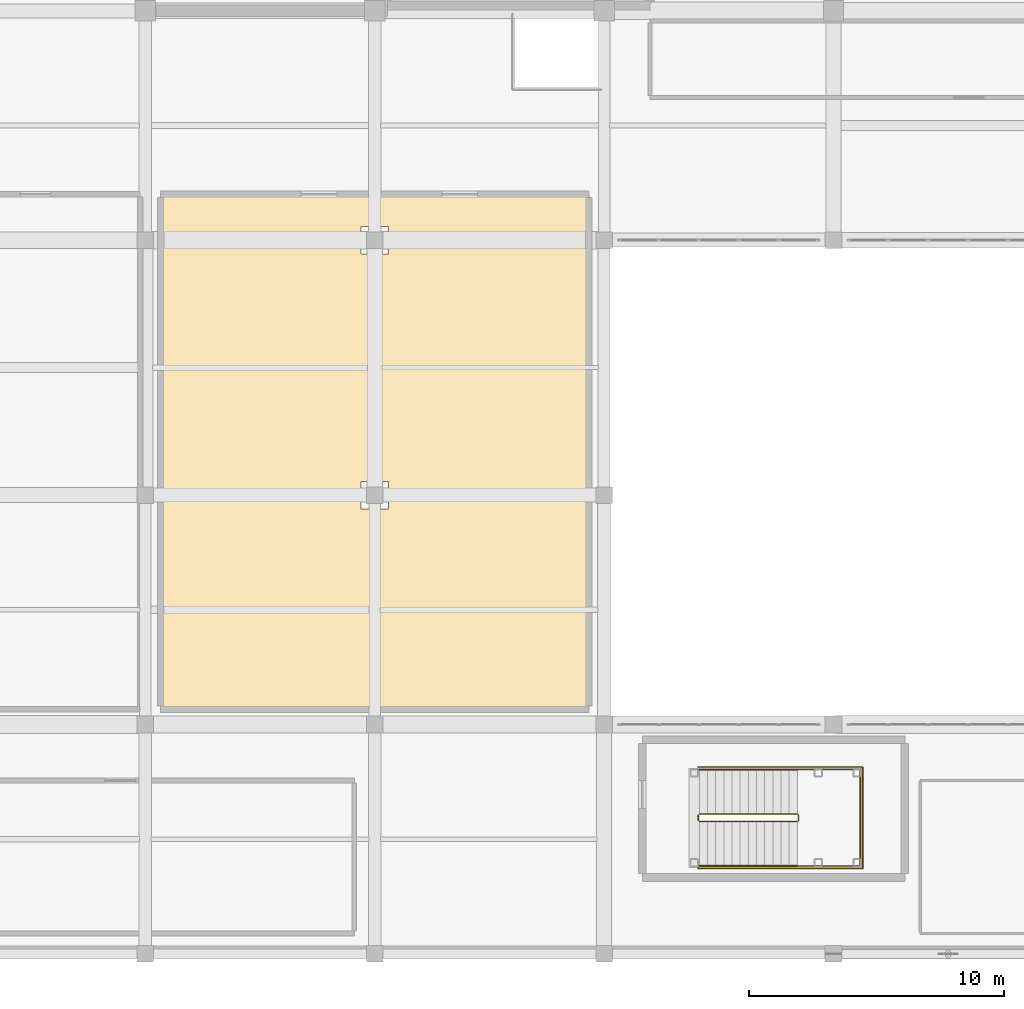
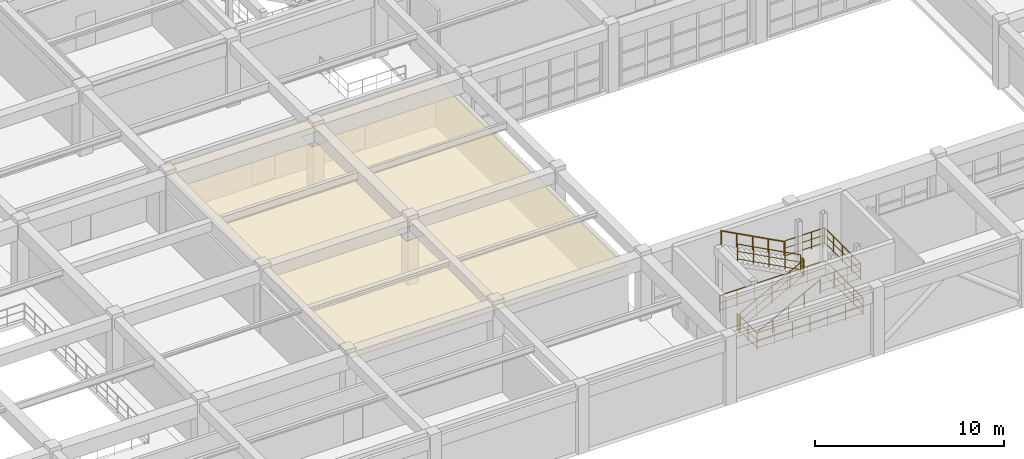
# One storey, part 124 of 133: 8 railings, 1 covering.
"""IFC4 building model written with IfcOpenShell, lengths in metres."""

from ifc_helpers import new_model, si_unit, direction, frame, origin, origin_2d, place, context, subcontext, project, spatial, polyline, circle, outline, extrude, material, layer, layer_set, type_object, element, save


model = new_model("IFC4")

# Units and contexts
model_context = context("Model", 3, precision=1e-05, world=origin(), true_north=direction((0.0, 1.0)))
body_context = subcontext(model_context, "Body", "Model", "MODEL_VIEW")
ifc_project = project(units=[si_unit("LENGTHUNIT", "METRE"), si_unit("AREAUNIT", "SQUARE_METRE"), si_unit("VOLUMEUNIT", "CUBIC_METRE"), si_unit("PLANEANGLEUNIT", "RADIAN"), si_unit("MASSUNIT", "GRAM", prefix="KILO")], contexts=[model_context])

# Site, building, storey
site_placement = place(None, origin())
site = spatial("IfcSite", under=ifc_project, at=site_placement, CompositionType="ELEMENT")
building_placement = place(site_placement, origin())
building = spatial("IfcBuilding", under=site, at=building_placement, Name="Miravela Opera House", CompositionType="ELEMENT")
storey_placement = place(building_placement, frame((0.0, 0.0, 5.10009765625)))
storey = spatial("IfcBuildingStorey", under=building, at=storey_placement, Name="L01", CompositionType="ELEMENT", Elevation=5.10009765625)

# Covering
ifc_material_1 = material(Name="Suspended acoustic gypsum board ceiling")
ifc_layer = layer(ifc_material_1, 0.02392578125)
ifc_layer_set = layer_set([ifc_layer])
covering_type = type_object("IfcCoveringType", Name="ARC-CEIL-GYPSUM-24", PredefinedType="CEILING", material=ifc_layer_set)
covering_placement = place(storey_placement, frame((0.0, 0.0, 3.059814453125)))
element("IfcCovering", 1, at=covering_placement, inside=storey, type_object=covering_type, Name="Performer Green Room and Lounge Acoustic Ceiling", PredefinedType="CEILING", context=body_context, shape_type="SweptSolid", body=[
    extrude(outline(polyline([(99.60009765625, 9.60009765625), (116.39990234375, 9.60009765625), (116.39990234375, 29.800048828125), (99.60009765625, 29.800048828125), (99.60009765625, 9.60009765625)]), holes=[polyline([(107.46044921875, 17.46044921875), (108.53955078125, 17.46044921875), (108.53955078125, 18.53955078125), (107.46044921875, 18.53955078125), (107.46044921875, 17.46044921875)]), polyline([(107.46044921875, 27.46044921875), (108.53955078125, 27.46044921875), (108.53955078125, 28.53955078125), (107.46044921875, 28.53955078125), (107.46044921875, 27.46044921875)])]), origin(), (0.0, 0.0, 1.0), 0.024169921875),
])

# Railings
ifc_material_2 = material(Name="Brushed bronze continuous stair handrail")
railing_type_1 = type_object("IfcRailingType", Name="ARC-RAIL-HAND-900", PredefinedType="HANDRAIL", material=ifc_material_2)
railing_1_placement = place(storey_placement, frame((120.739990234375, 3.449951171875, 0.169921875)))
element("IfcRailing", 2, at=railing_1_placement, inside=storey, type_object=railing_type_1, Name="L01 ST-10 stair handrail 1", PredefinedType="HANDRAIL", context=body_context, shape_type="SweptSolid", body=[
    extrude(circle(Radius=0.02392578125, at=origin_2d()), frame((0.0, 0.0, 0.8759765625), z_axis=(0.883116446401, 0.0, 0.469153857596), x_axis=(0.0, 1.0, 0.0)), (0.0, 0.0, 1.0), 4.348388671875),
    extrude(circle(Radius=0.02099609375, at=origin_2d()), origin(), (0.0, 0.0, 1.0), 0.851806640625),
    extrude(circle(Radius=0.02099609375, at=origin_2d()), frame((0.9599609375, 0.0, 0.510009765625)), (0.0, 0.0, 1.0), 0.851806640625),
    extrude(circle(Radius=0.02099609375, at=origin_2d()), frame((1.919921875, 0.0, 1.02001953125)), (0.0, 0.0, 1.0), 0.851806640625),
    extrude(circle(Radius=0.02099609375, at=origin_2d()), frame((2.880126953125, 0.0, 1.530029296875)), (0.0, 0.0, 1.0), 0.851806640625),
    extrude(circle(Radius=0.02099609375, at=origin_2d()), frame((3.840087890625, 0.0, 2.0400390625)), (0.0, 0.0, 1.0), 0.851806640625),
])
railing_2_placement = place(storey_placement, frame((124.580078125, 7.22998046875, 2.3798828125)))
element("IfcRailing", 3, at=railing_2_placement, inside=storey, type_object=railing_type_1, Name="L01 ST-10 stair handrail 2", PredefinedType="HANDRAIL", context=body_context, shape_type="SweptSolid", body=[
    extrude(circle(Radius=0.02392578125, at=origin_2d()), frame((0.0, 0.0, 0.8759765625), z_axis=(-0.883116446401, 0.0, 0.469153857596), x_axis=(0.0, -1.0, 0.0)), (0.0, 0.0, 1.0), 4.348388671875),
    extrude(circle(Radius=0.02099609375, at=origin_2d()), origin(), (0.0, 0.0, 1.0), 0.851806640625),
    extrude(circle(Radius=0.02099609375, at=origin_2d()), frame((-0.9599609375, 0.0, 0.510009765625)), (0.0, 0.0, 1.0), 0.851806640625),
    extrude(circle(Radius=0.02099609375, at=origin_2d()), frame((-1.919921875, 0.0, 1.02001953125)), (0.0, 0.0, 1.0), 0.851806640625),
    extrude(circle(Radius=0.02099609375, at=origin_2d()), frame((-2.880126953125, 0.0, 1.530029296875)), (0.0, 0.0, 1.0), 0.851806640625),
    extrude(circle(Radius=0.02099609375, at=origin_2d()), frame((-3.840087890625, 0.0, 2.0400390625)), (0.0, 0.0, 1.0), 0.851806640625),
])
ifc_material_3 = material(Name="Painted wrought-iron stair guardrail")
railing_type_2 = type_object("IfcRailingType", Name="ARC-RAIL-STAIR-GUARD", PredefinedType="GUARDRAIL", material=ifc_material_3)
railing_3_placement = place(storey_placement, frame((120.739990234375, 5.18994140625, 0.169921875)))
element("IfcRailing", 4, at=railing_3_placement, inside=storey, type_object=railing_type_2, Name="L01 ST-10 stair guard 1", PredefinedType="GUARDRAIL", context=body_context, shape_type="SweptSolid", body=[
    extrude(circle(Radius=0.02392578125, at=origin_2d()), frame((0.0, 0.0, 1.076171875), z_axis=(0.883116446401, 0.0, 0.469153857596), x_axis=(0.0, 1.0, 0.0)), (0.0, 0.0, 1.0), 4.348388671875),
    extrude(circle(Radius=0.01611328125, at=origin_2d()), frame((0.0, 0.0, 0.60498046875), z_axis=(0.883116446401, 0.0, 0.469153857596), x_axis=(0.0, 1.0, 0.0)), (0.0, 0.0, 1.0), 4.348388671875),
    extrude(circle(Radius=0.01611328125, at=origin_2d()), frame((0.0, 0.0, 0.1201171875), z_axis=(0.883116446401, 0.0, 0.469153857596), x_axis=(0.0, 1.0, 0.0)), (0.0, 0.0, 1.0), 4.348388671875),
    extrude(circle(Radius=0.02099609375, at=origin_2d()), origin(), (0.0, 0.0, 1.0), 1.052001953125),
    extrude(circle(Radius=0.02099609375, at=origin_2d()), frame((0.9599609375, 0.0, 0.510009765625)), (0.0, 0.0, 1.0), 1.052001953125),
    extrude(circle(Radius=0.02099609375, at=origin_2d()), frame((1.919921875, 0.0, 1.02001953125)), (0.0, 0.0, 1.0), 1.052001953125),
    extrude(circle(Radius=0.02099609375, at=origin_2d()), frame((2.880126953125, 0.0, 1.530029296875)), (0.0, 0.0, 1.0), 1.052001953125),
    extrude(circle(Radius=0.02099609375, at=origin_2d()), frame((3.840087890625, 0.0, 2.0400390625)), (0.0, 0.0, 1.0), 1.052001953125),
])
railing_4_placement = place(storey_placement, frame((124.6298828125, 5.239990234375, 2.2099609375)))
element("IfcRailing", 5, at=railing_4_placement, inside=storey, type_object=railing_type_2, Name="L01 ST-10 stair guard 2", PredefinedType="GUARDRAIL", context=body_context, shape_type="SweptSolid", body=[
    extrude(circle(Radius=0.02392578125, at=origin_2d()), frame((0.0, 0.0, 1.076171875), z_axis=(0.0, 1.0, 0.0), x_axis=(-1.0, 0.0, 0.0)), (0.0, 0.0, 1.0), 0.199951171875),
    extrude(circle(Radius=0.01611328125, at=origin_2d()), frame((0.0, 0.0, 0.60498046875), z_axis=(0.0, 1.0, 0.0), x_axis=(-1.0, 0.0, 0.0)), (0.0, 0.0, 1.0), 0.199951171875),
    extrude(circle(Radius=0.01611328125, at=origin_2d()), frame((0.0, 0.0, 0.1201171875), z_axis=(0.0, 1.0, 0.0), x_axis=(-1.0, 0.0, 0.0)), (0.0, 0.0, 1.0), 0.199951171875),
    extrude(circle(Radius=0.02099609375, at=origin_2d()), origin(), (0.0, 0.0, 1.0), 1.052001953125),
    extrude(circle(Radius=0.02099609375, at=origin_2d()), frame((0.0, 0.199951171875, 0.0)), (0.0, 0.0, 1.0), 1.052001953125),
])
railing_5_placement = place(storey_placement, frame((124.580078125, 5.489990234375, 2.3798828125)))
element("IfcRailing", 6, at=railing_5_placement, inside=storey, type_object=railing_type_2, Name="L01 ST-10 stair guard 3", PredefinedType="GUARDRAIL", context=body_context, shape_type="SweptSolid", body=[
    extrude(circle(Radius=0.02392578125, at=origin_2d()), frame((0.0, 0.0, 1.076171875), z_axis=(-0.883116446401, 0.0, 0.469153857596), x_axis=(0.0, -1.0, 0.0)), (0.0, 0.0, 1.0), 4.348388671875),
    extrude(circle(Radius=0.01611328125, at=origin_2d()), frame((0.0, 0.0, 0.60498046875), z_axis=(-0.883116446401, 0.0, 0.469153857596), x_axis=(0.0, -1.0, 0.0)), (0.0, 0.0, 1.0), 4.348388671875),
    extrude(circle(Radius=0.01611328125, at=origin_2d()), frame((0.0, 0.0, 0.1201171875), z_axis=(-0.883116446401, 0.0, 0.469153857596), x_axis=(0.0, -1.0, 0.0)), (0.0, 0.0, 1.0), 4.348388671875),
    extrude(circle(Radius=0.02099609375, at=origin_2d()), origin(), (0.0, 0.0, 1.0), 1.052001953125),
    extrude(circle(Radius=0.02099609375, at=origin_2d()), frame((-0.9599609375, 0.0, 0.510009765625)), (0.0, 0.0, 1.0), 1.052001953125),
    extrude(circle(Radius=0.02099609375, at=origin_2d()), frame((-1.919921875, 0.0, 1.02001953125)), (0.0, 0.0, 1.0), 1.052001953125),
    extrude(circle(Radius=0.02099609375, at=origin_2d()), frame((-2.880126953125, 0.0, 1.530029296875)), (0.0, 0.0, 1.0), 1.052001953125),
    extrude(circle(Radius=0.02099609375, at=origin_2d()), frame((-3.840087890625, 0.0, 2.0400390625)), (0.0, 0.0, 1.0), 1.052001953125),
])
railing_6_placement = place(storey_placement, frame((120.68994140625, 5.239990234375, 0.0)))
element("IfcRailing", 7, at=railing_6_placement, inside=storey, type_object=railing_type_2, Name="L01 ST-10 stair guard 4", PredefinedType="GUARDRAIL", context=body_context, shape_type="SweptSolid", body=[
    extrude(circle(Radius=0.02392578125, at=origin_2d()), frame((0.0, 0.0, 1.076171875), z_axis=(0.0, 1.0, 0.0), x_axis=(-1.0, 0.0, 0.0)), (0.0, 0.0, 1.0), 0.199951171875),
    extrude(circle(Radius=0.01611328125, at=origin_2d()), frame((0.0, 0.0, 0.60498046875), z_axis=(0.0, 1.0, 0.0), x_axis=(-1.0, 0.0, 0.0)), (0.0, 0.0, 1.0), 0.199951171875),
    extrude(circle(Radius=0.01611328125, at=origin_2d()), frame((0.0, 0.0, 0.1201171875), z_axis=(0.0, 1.0, 0.0), x_axis=(-1.0, 0.0, 0.0)), (0.0, 0.0, 1.0), 0.199951171875),
    extrude(circle(Radius=0.02099609375, at=origin_2d()), origin(), (0.0, 0.0, 1.0), 1.052001953125),
    extrude(circle(Radius=0.02099609375, at=origin_2d()), frame((0.0, 0.199951171875, 0.0)), (0.0, 0.0, 1.0), 1.052001953125),
])
railing_7_placement = place(storey_placement, frame((124.6298828125, 3.449951171875, 2.2099609375)))
element("IfcRailing", 8, at=railing_7_placement, inside=storey, type_object=railing_type_2, Name="Stair ST-10 Half-Landing Perimeter Guard (L01) 0089", PredefinedType="GUARDRAIL", context=body_context, shape_type="SweptSolid", body=[
    extrude(circle(Radius=0.02392578125, at=origin_2d()), frame((0.0, 0.0, 1.076171875), z_axis=(1.0, 0.0, 0.0), x_axis=(0.0, 1.0, 0.0)), (0.0, 0.0, 1.0), 2.420166015625),
    extrude(circle(Radius=0.01611328125, at=origin_2d()), frame((0.0, 0.0, 0.60498046875), z_axis=(1.0, 0.0, 0.0), x_axis=(0.0, 1.0, 0.0)), (0.0, 0.0, 1.0), 2.420166015625),
    extrude(circle(Radius=0.01611328125, at=origin_2d()), frame((0.0, 0.0, 0.1201171875), z_axis=(1.0, 0.0, 0.0), x_axis=(0.0, 1.0, 0.0)), (0.0, 0.0, 1.0), 2.420166015625),
    extrude(circle(Radius=0.02392578125, at=origin_2d()), frame((2.420166015625, 0.0, 1.076171875), z_axis=(0.0, 1.0, 0.0), x_axis=(-1.0, 0.0, 0.0)), (0.0, 0.0, 1.0), 3.780029296875),
    extrude(circle(Radius=0.01611328125, at=origin_2d()), frame((2.420166015625, 0.0, 0.60498046875), z_axis=(0.0, 1.0, 0.0), x_axis=(-1.0, 0.0, 0.0)), (0.0, 0.0, 1.0), 3.780029296875),
    extrude(circle(Radius=0.01611328125, at=origin_2d()), frame((2.420166015625, 0.0, 0.1201171875), z_axis=(0.0, 1.0, 0.0), x_axis=(-1.0, 0.0, 0.0)), (0.0, 0.0, 1.0), 3.780029296875),
    extrude(circle(Radius=0.02392578125, at=origin_2d()), frame((2.420166015625, 3.780029296875, 1.076171875), z_axis=(-1.0, 0.0, 0.0), x_axis=(0.0, -1.0, 0.0)), (0.0, 0.0, 1.0), 2.420166015625),
    extrude(circle(Radius=0.01611328125, at=origin_2d()), frame((2.420166015625, 3.780029296875, 0.60498046875), z_axis=(-1.0, 0.0, 0.0), x_axis=(0.0, -1.0, 0.0)), (0.0, 0.0, 1.0), 2.420166015625),
    extrude(circle(Radius=0.01611328125, at=origin_2d()), frame((2.420166015625, 3.780029296875, 0.1201171875), z_axis=(-1.0, 0.0, 0.0), x_axis=(0.0, -1.0, 0.0)), (0.0, 0.0, 1.0), 2.420166015625),
    extrude(circle(Radius=0.02099609375, at=origin_2d()), origin(), (0.0, 0.0, 1.0), 1.052001953125),
    extrude(circle(Radius=0.02099609375, at=origin_2d()), frame((0.806640625, 0.0, 0.0)), (0.0, 0.0, 1.0), 1.052001953125),
    extrude(circle(Radius=0.02099609375, at=origin_2d()), frame((1.613525390625, 0.0, 0.0)), (0.0, 0.0, 1.0), 1.052001953125),
    extrude(circle(Radius=0.02099609375, at=origin_2d()), frame((2.420166015625, 0.0, 0.0)), (0.0, 0.0, 1.0), 1.052001953125),
    extrude(circle(Radius=0.02099609375, at=origin_2d()), frame((2.420166015625, 0.945068359375, 0.0)), (0.0, 0.0, 1.0), 1.052001953125),
    extrude(circle(Radius=0.02099609375, at=origin_2d()), frame((2.420166015625, 1.89013671875, 0.0)), (0.0, 0.0, 1.0), 1.052001953125),
    extrude(circle(Radius=0.02099609375, at=origin_2d()), frame((2.420166015625, 2.8349609375, 0.0)), (0.0, 0.0, 1.0), 1.052001953125),
    extrude(circle(Radius=0.02099609375, at=origin_2d()), frame((2.420166015625, 3.780029296875, 0.0)), (0.0, 0.0, 1.0), 1.052001953125),
    extrude(circle(Radius=0.02099609375, at=origin_2d()), frame((1.613525390625, 3.780029296875, 0.0)), (0.0, 0.0, 1.0), 1.052001953125),
    extrude(circle(Radius=0.02099609375, at=origin_2d()), frame((0.806640625, 3.780029296875, 0.0)), (0.0, 0.0, 1.0), 1.052001953125),
    extrude(circle(Radius=0.02099609375, at=origin_2d()), frame((0.0, 3.780029296875, 0.0)), (0.0, 0.0, 1.0), 1.052001953125),
])
railing_8_placement = place(storey_placement, frame((120.68994140625, 5.27001953125, 0.0)))
element("IfcRailing", 9, at=railing_8_placement, inside=storey, type_object=railing_type_2, Name="Stair ST-10 Well Slab Opening Guard (L01) 0091", PredefinedType="GUARDRAIL", context=body_context, shape_type="SweptSolid", body=[
    extrude(circle(Radius=0.02392578125, at=origin_2d()), frame((0.0, 0.0, 1.076171875), z_axis=(0.0, -1.0, 0.0), x_axis=(1.0, 0.0, 0.0)), (0.0, 0.0, 1.0), 1.919921875),
    extrude(circle(Radius=0.01611328125, at=origin_2d()), frame((0.0, 0.0, 0.60498046875), z_axis=(0.0, -1.0, 0.0), x_axis=(1.0, 0.0, 0.0)), (0.0, 0.0, 1.0), 1.919921875),
    extrude(circle(Radius=0.01611328125, at=origin_2d()), frame((0.0, 0.0, 0.1201171875), z_axis=(0.0, -1.0, 0.0), x_axis=(1.0, 0.0, 0.0)), (0.0, 0.0, 1.0), 1.919921875),
    extrude(circle(Radius=0.02392578125, at=origin_2d()), frame((0.0, -1.919921875, 1.076171875), z_axis=(1.0, 0.0, 0.0), x_axis=(0.0, 1.0, 0.0)), (0.0, 0.0, 1.0), 6.4599609375),
    extrude(circle(Radius=0.01611328125, at=origin_2d()), frame((0.0, -1.919921875, 0.60498046875), z_axis=(1.0, 0.0, 0.0), x_axis=(0.0, 1.0, 0.0)), (0.0, 0.0, 1.0), 6.4599609375),
    extrude(circle(Radius=0.01611328125, at=origin_2d()), frame((0.0, -1.919921875, 0.1201171875), z_axis=(1.0, 0.0, 0.0), x_axis=(0.0, 1.0, 0.0)), (0.0, 0.0, 1.0), 6.4599609375),
    extrude(circle(Radius=0.02392578125, at=origin_2d()), frame((6.4599609375, -1.919921875, 1.076171875), z_axis=(0.0, 1.0, 0.0), x_axis=(-1.0, 0.0, 0.0)), (0.0, 0.0, 1.0), 3.97998046875),
    extrude(circle(Radius=0.01611328125, at=origin_2d()), frame((6.4599609375, -1.919921875, 0.60498046875), z_axis=(0.0, 1.0, 0.0), x_axis=(-1.0, 0.0, 0.0)), (0.0, 0.0, 1.0), 3.97998046875),
    extrude(circle(Radius=0.01611328125, at=origin_2d()), frame((6.4599609375, -1.919921875, 0.1201171875), z_axis=(0.0, 1.0, 0.0), x_axis=(-1.0, 0.0, 0.0)), (0.0, 0.0, 1.0), 3.97998046875),
    extrude(circle(Radius=0.02392578125, at=origin_2d()), frame((6.4599609375, 2.06005859375, 1.076171875), z_axis=(-1.0, 0.0, 0.0), x_axis=(0.0, -1.0, 0.0)), (0.0, 0.0, 1.0), 6.4599609375),
    extrude(circle(Radius=0.01611328125, at=origin_2d()), frame((6.4599609375, 2.06005859375, 0.60498046875), z_axis=(-1.0, 0.0, 0.0), x_axis=(0.0, -1.0, 0.0)), (0.0, 0.0, 1.0), 6.4599609375),
    extrude(circle(Radius=0.01611328125, at=origin_2d()), frame((6.4599609375, 2.06005859375, 0.1201171875), z_axis=(-1.0, 0.0, 0.0), x_axis=(0.0, -1.0, 0.0)), (0.0, 0.0, 1.0), 6.4599609375),
    extrude(circle(Radius=0.02099609375, at=origin_2d()), origin(), (0.0, 0.0, 1.0), 1.052001953125),
    extrude(circle(Radius=0.02099609375, at=origin_2d()), frame((0.0, -0.9599609375, 0.0)), (0.0, 0.0, 1.0), 1.052001953125),
    extrude(circle(Radius=0.02099609375, at=origin_2d()), frame((0.0, -1.919921875, 0.0)), (0.0, 0.0, 1.0), 1.052001953125),
    extrude(circle(Radius=0.02099609375, at=origin_2d()), frame((1.07666015625, -1.919921875, 0.0)), (0.0, 0.0, 1.0), 1.052001953125),
    extrude(circle(Radius=0.02099609375, at=origin_2d()), frame((2.1533203125, -1.919921875, 0.0)), (0.0, 0.0, 1.0), 1.052001953125),
    extrude(circle(Radius=0.02099609375, at=origin_2d()), frame((3.22998046875, -1.919921875, 0.0)), (0.0, 0.0, 1.0), 1.052001953125),
    extrude(circle(Radius=0.02099609375, at=origin_2d()), frame((4.306640625, -1.919921875, 0.0)), (0.0, 0.0, 1.0), 1.052001953125),
    extrude(circle(Radius=0.02099609375, at=origin_2d()), frame((5.38330078125, -1.919921875, 0.0)), (0.0, 0.0, 1.0), 1.052001953125),
    extrude(circle(Radius=0.02099609375, at=origin_2d()), frame((6.4599609375, -1.919921875, 0.0)), (0.0, 0.0, 1.0), 1.052001953125),
    extrude(circle(Radius=0.02099609375, at=origin_2d()), frame((6.4599609375, -0.9248046875, 0.0)), (0.0, 0.0, 1.0), 1.052001953125),
    extrude(circle(Radius=0.02099609375, at=origin_2d()), frame((6.4599609375, 0.070068359375, 0.0)), (0.0, 0.0, 1.0), 1.052001953125),
    extrude(circle(Radius=0.02099609375, at=origin_2d()), frame((6.4599609375, 1.06494140625, 0.0)), (0.0, 0.0, 1.0), 1.052001953125),
    extrude(circle(Radius=0.02099609375, at=origin_2d()), frame((6.4599609375, 2.06005859375, 0.0)), (0.0, 0.0, 1.0), 1.052001953125),
    extrude(circle(Radius=0.02099609375, at=origin_2d()), frame((5.38330078125, 2.06005859375, 0.0)), (0.0, 0.0, 1.0), 1.052001953125),
    extrude(circle(Radius=0.02099609375, at=origin_2d()), frame((4.306640625, 2.06005859375, 0.0)), (0.0, 0.0, 1.0), 1.052001953125),
    extrude(circle(Radius=0.02099609375, at=origin_2d()), frame((3.22998046875, 2.06005859375, 0.0)), (0.0, 0.0, 1.0), 1.052001953125),
    extrude(circle(Radius=0.02099609375, at=origin_2d()), frame((2.1533203125, 2.06005859375, 0.0)), (0.0, 0.0, 1.0), 1.052001953125),
    extrude(circle(Radius=0.02099609375, at=origin_2d()), frame((1.07666015625, 2.06005859375, 0.0)), (0.0, 0.0, 1.0), 1.052001953125),
    extrude(circle(Radius=0.02099609375, at=origin_2d()), frame((0.0, 2.06005859375, 0.0)), (0.0, 0.0, 1.0), 1.052001953125),
])

save(model, "model.ifc")
